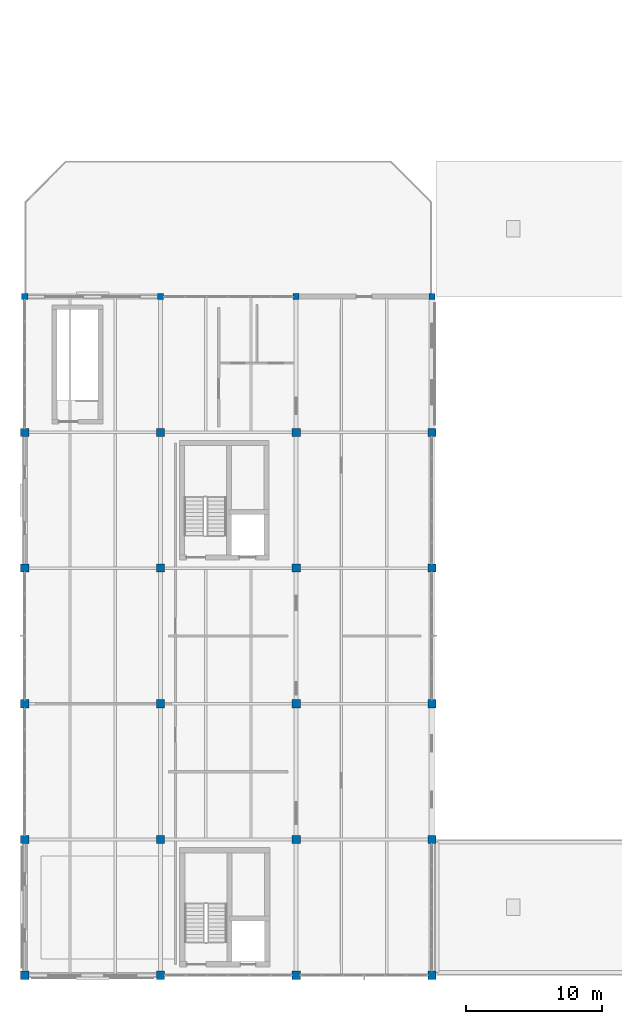
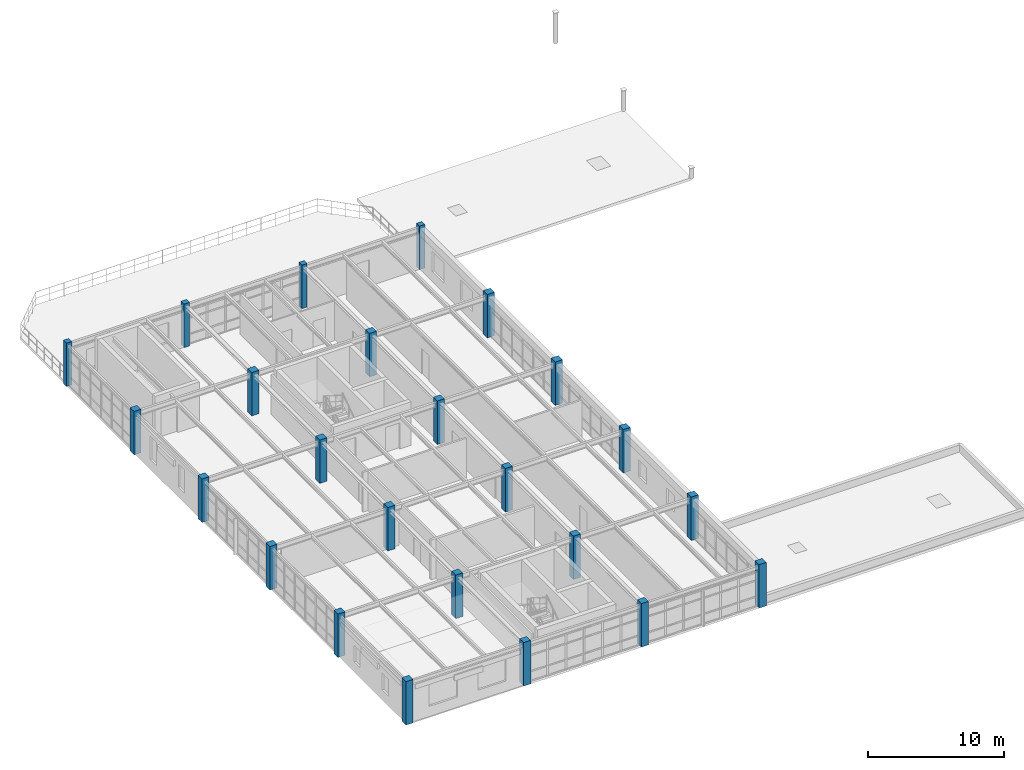
# One storey, part 1 of 23: 24 columns.
"""IFC4 building model written with IfcOpenShell, lengths in metres."""

from ifc_helpers import new_model, si_unit, direction, frame, origin, origin_2d, place, context, subcontext, project, spatial, rectangle, extrude, material, material_profile, profile_set, type_object, element, save


model = new_model("IFC4")

# Units and contexts
model_context = context("Model", 3, precision=1e-05, world=origin(), true_north=direction((0.0, 1.0)))
body_context = subcontext(model_context, "Body", "Model", "MODEL_VIEW")
ifc_project = project(units=[si_unit("LENGTHUNIT", "METRE"), si_unit("AREAUNIT", "SQUARE_METRE"), si_unit("VOLUMEUNIT", "CUBIC_METRE"), si_unit("PLANEANGLEUNIT", "RADIAN"), si_unit("MASSUNIT", "GRAM", prefix="KILO"), si_unit("THERMODYNAMICTEMPERATUREUNIT", "KELVIN"), si_unit("POWERUNIT", "WATT")], contexts=[model_context])

# Site, building, storey
site_placement = place(None, origin())
site = spatial("IfcSite", under=ifc_project, at=site_placement, CompositionType="ELEMENT")
building_placement = place(site_placement, origin())
building = spatial("IfcBuilding", under=site, at=building_placement, Name="Korenveer Ferry Terminal", CompositionType="ELEMENT")
storey_placement = place(building_placement, frame((0.0, 0.0, 14.39990234375)))
storey = spatial("IfcBuildingStorey", under=building, at=storey_placement, Name="L03", CompositionType="ELEMENT", Elevation=14.39990234375)

# Columns
ifc_material = material(Name="Concrete C45/55", Category="concrete")
ifc_material_profile_1 = material_profile(ifc_material, rectangle(XDim=0.449951171875, YDim=0.449951171875, at=origin_2d()), Name="RC 450x450")
ifc_profile_set_1 = profile_set([ifc_material_profile_1], Name="Concrete C45/55")
column_type_1 = type_object("IfcColumnType", Name="STR-COL-RC450", PredefinedType="COLUMN", material=ifc_profile_set_1)
for number, where, z_axis, x_axis, name in (
    (1, (0.0, 70.0, 0.0), (0.0, 0.0, 1.0), (1.0, 0.0, 0.0), "Column COL-L03-X0-Y70"),
    (2, (10.0, 70.0, 0.0), (0.0, 0.0, 1.0), (1.0, 0.0, 0.0), "Column COL-L03-X10-Y70"),
    (3, (20.0, 70.0, 0.0), (0.0, 0.0, 1.0), (1.0, 0.0, 0.0), "Column COL-L03-X20-Y70"),
    (4, (30.0, 70.0, 0.0), (0.0, 0.0, 1.0), (1.0, 0.0, 0.0), "Column COL-L03-X30-Y70"),
):
    element("IfcColumn", number, at=place(storey_placement, frame(where, z_axis=z_axis, x_axis=x_axis)), inside=storey, type_object=column_type_1, Name=name, PredefinedType="COLUMN", context=body_context, shape_type="SweptSolid", body=[
        extrude(rectangle(XDim=0.449951171875, YDim=0.449951171875, at=origin_2d()), origin(), (0.0, 0.0, 1.0), 3.900146484375),
    ])
ifc_material_profile_2 = material_profile(ifc_material, rectangle(XDim=0.60009765625, YDim=0.60009765625, at=origin_2d()), Name="RC 600x600")
ifc_profile_set_2 = profile_set([ifc_material_profile_2], Name="Concrete C45/55")
column_type_2 = type_object("IfcColumnType", Name="STR-COL-RC600", PredefinedType="COLUMN", material=ifc_profile_set_2)
for number, where, z_axis, x_axis, name in (
    (5, (0.0, 20.0, 0.0), (0.0, 0.0, 1.0), (1.0, 0.0, 0.0), "Column COL-L03-X0-Y20"),
    (6, (0.0, 30.0, 0.0), (0.0, 0.0, 1.0), (1.0, 0.0, 0.0), "Column COL-L03-X0-Y30"),
    (7, (0.0, 40.0, 0.0), (0.0, 0.0, 1.0), (1.0, 0.0, 0.0), "Column COL-L03-X0-Y40"),
    (8, (0.0, 50.0, 0.0), (0.0, 0.0, 1.0), (1.0, 0.0, 0.0), "Column COL-L03-X0-Y50"),
    (9, (0.0, 60.0, 0.0), (0.0, 0.0, 1.0), (1.0, 0.0, 0.0), "Column COL-L03-X0-Y60"),
    (10, (10.0, 20.0, 0.0), (0.0, 0.0, 1.0), (1.0, 0.0, 0.0), "Column COL-L03-X10-Y20"),
    (11, (10.0, 30.0, 0.0), (0.0, 0.0, 1.0), (1.0, 0.0, 0.0), "Column COL-L03-X10-Y30"),
    (12, (10.0, 40.0, 0.0), (0.0, 0.0, 1.0), (1.0, 0.0, 0.0), "Column COL-L03-X10-Y40"),
    (13, (10.0, 50.0, 0.0), (0.0, 0.0, 1.0), (1.0, 0.0, 0.0), "Column COL-L03-X10-Y50"),
    (14, (10.0, 60.0, 0.0), (0.0, 0.0, 1.0), (1.0, 0.0, 0.0), "Column COL-L03-X10-Y60"),
    (15, (20.0, 20.0, 0.0), (0.0, 0.0, 1.0), (1.0, 0.0, 0.0), "Column COL-L03-X20-Y20"),
    (16, (20.0, 30.0, 0.0), (0.0, 0.0, 1.0), (1.0, 0.0, 0.0), "Column COL-L03-X20-Y30"),
    (17, (20.0, 40.0, 0.0), (0.0, 0.0, 1.0), (1.0, 0.0, 0.0), "Column COL-L03-X20-Y40"),
    (18, (20.0, 50.0, 0.0), (0.0, 0.0, 1.0), (1.0, 0.0, 0.0), "Column COL-L03-X20-Y50"),
    (19, (20.0, 60.0, 0.0), (0.0, 0.0, 1.0), (1.0, 0.0, 0.0), "Column COL-L03-X20-Y60"),
    (20, (30.0, 20.0, 0.0), (0.0, 0.0, 1.0), (1.0, 0.0, 0.0), "Column COL-L03-X30-Y20"),
    (21, (30.0, 30.0, 0.0), (0.0, 0.0, 1.0), (1.0, 0.0, 0.0), "Column COL-L03-X30-Y30"),
    (22, (30.0, 40.0, 0.0), (0.0, 0.0, 1.0), (1.0, 0.0, 0.0), "Column COL-L03-X30-Y40"),
    (23, (30.0, 50.0, 0.0), (0.0, 0.0, 1.0), (1.0, 0.0, 0.0), "Column COL-L03-X30-Y50"),
    (24, (30.0, 60.0, 0.0), (0.0, 0.0, 1.0), (1.0, 0.0, 0.0), "Column COL-L03-X30-Y60"),
):
    element("IfcColumn", number, at=place(storey_placement, frame(where, z_axis=z_axis, x_axis=x_axis)), inside=storey, type_object=column_type_2, Name=name, PredefinedType="COLUMN", context=body_context, shape_type="SweptSolid", body=[
        extrude(rectangle(XDim=0.60009765625, YDim=0.60009765625, at=origin_2d()), origin(), (0.0, 0.0, 1.0), 3.900146484375),
    ])

save(model, "model.ifc")
